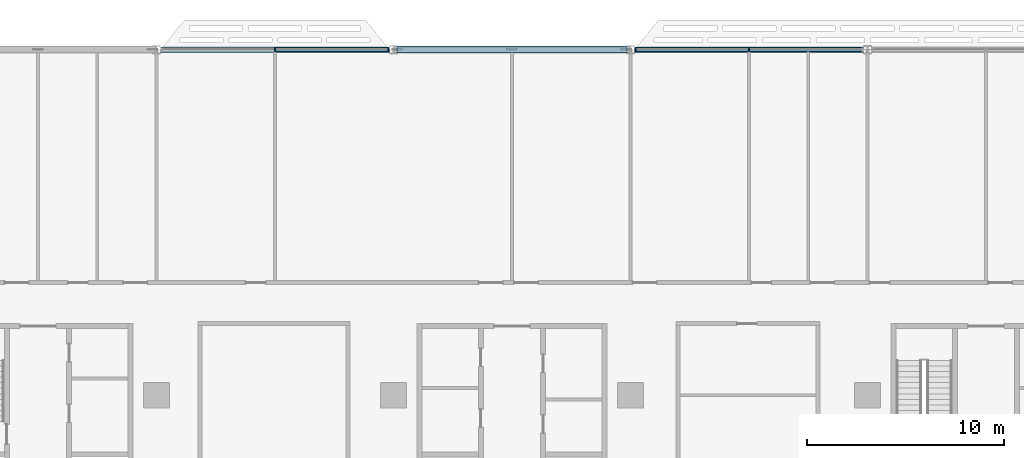
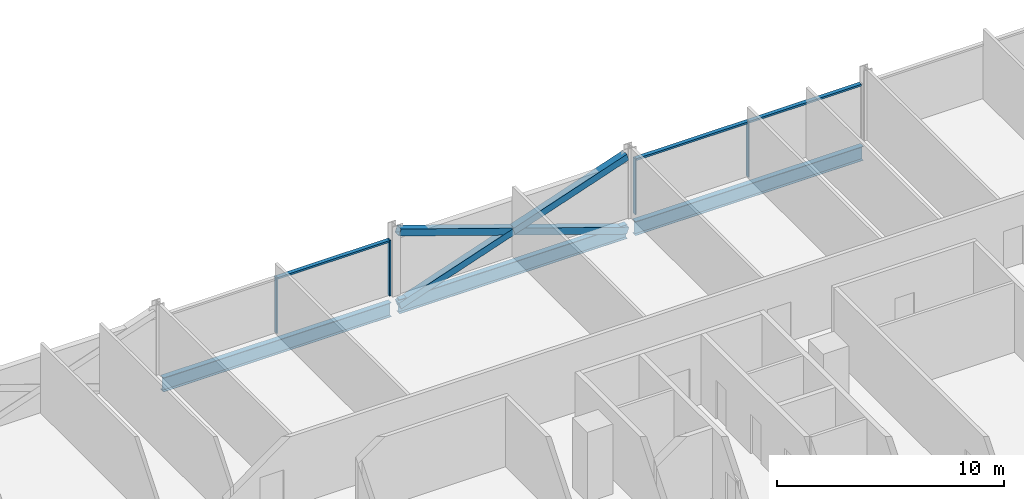
# One storey, part 7 of 28: 10 members, 3 beams, 2 elements without a shape of their own.
"""IFC4 building model written with IfcOpenShell, lengths in metres."""

from ifc_helpers import new_model, si_unit, direction, frame, origin, origin_2d, place, context, subcontext, project, spatial, rectangle, hollow_rectangle, i_section, extrude, material, material_profile, profile_set, type_object, element, aggregate, save


model = new_model("IFC4")

# Units and contexts
model_context = context("Model", 3, precision=1e-05, world=origin(), true_north=direction((0.0, 1.0)))
body_context = subcontext(model_context, "Body", "Model", "MODEL_VIEW")
ifc_project = project(units=[si_unit("LENGTHUNIT", "METRE"), si_unit("AREAUNIT", "SQUARE_METRE"), si_unit("VOLUMEUNIT", "CUBIC_METRE"), si_unit("PLANEANGLEUNIT", "RADIAN"), si_unit("MASSUNIT", "GRAM", prefix="KILO")], contexts=[model_context])

# Site, building, storey
site_placement = place(None, origin())
site = spatial("IfcSite", under=ifc_project, at=site_placement, CompositionType="ELEMENT")
building_placement = place(site_placement, origin())
building = spatial("IfcBuilding", under=site, at=building_placement, Name="Mahtab Terrace Research Tower", CompositionType="ELEMENT")
storey_placement = place(building_placement, frame((0.0, 0.0, 134.300048828125)))
storey = spatial("IfcBuildingStorey", under=building, at=storey_placement, Name="L31", CompositionType="ELEMENT", Elevation=134.300048828125)

# Members
ifc_material_1 = material(Name="Steel ASTM A500 Gr C", Category="steel")
ifc_material_profile_1 = material_profile(ifc_material_1, hollow_rectangle(XDim=0.355712890625, YDim=0.355712890625, WallThickness=0.01904296875, at=origin_2d()), Name="HSS14X14X3/4")
ifc_profile_set_1 = profile_set([ifc_material_profile_1], Name="Steel ASTM A500 Gr C")
member_type_1 = type_object("IfcMemberType", Name="HSS 14x14x3/4 brace XB141434", PredefinedType="BRACE", material=ifc_profile_set_1)
member_1_placement = place(storey_placement, frame((5.794189453125, 29.0, -0.648193359375), z_axis=(-0.946288278, 0.0, 0.323324132908), x_axis=(0.0, -1.0, 0.0)))
element("IfcMember", 1, at=member_1_placement, inside=storey, type_object=member_type_1, Name="Exoskeleton brace L31 04 a", PredefinedType="BRACE", context=body_context, shape_type="SweptSolid", body=[
    extrude(hollow_rectangle(XDim=0.355712890625, YDim=0.355712890625, WallThickness=0.01904296875, at=origin_2d()), origin(), (0.0, 0.0, 1.0), 12.24609375),
])
for number, where, z_axis, x_axis, name in (
    (2, (-5.794189453125, 29.0, -0.648193359375), (0.946288278, 0.0, 0.323324132908), (0.0, 1.0, 0.0), "Exoskeleton brace L31 04 b1"),
    (3, (0.0, 29.0, 1.33154296875), (0.946288278, 0.0, 0.323324132908), (0.0, 1.0, 0.0), "Exoskeleton brace L31 04 b2"),
):
    element("IfcMember", number, at=place(storey_placement, frame(where, z_axis=z_axis, x_axis=x_axis)), inside=storey, type_object=member_type_1, Name=name, PredefinedType="BRACE", context=body_context, shape_type="SweptSolid", body=[
        extrude(hollow_rectangle(XDim=0.355712890625, YDim=0.355712890625, WallThickness=0.01904296875, at=origin_2d()), origin(), (0.0, 0.0, 1.0), 6.123046875),
    ])

# Curtain wall, members
ifc_material_2 = material(Name="Laboratory ribbon curtain wall")
curtain_wall_type = type_object("IfcCurtainWallType", Name="Laboratory ribbon curtain wall", PredefinedType="NOTDEFINED", material=ifc_material_2)
curtain_wall_1_placement = place(storey_placement, origin())
curtain_wall_1 = element("IfcCurtainWall", 4, at=curtain_wall_1_placement, inside=storey, type_object=curtain_wall_type, Name="EN.L31.3.5", PredefinedType="NOTDEFINED")
ifc_material_3 = material(Name="Natural anodised aluminium", Category="aluminium")
ifc_material_profile_2 = material_profile(ifc_material_3, rectangle(XDim=0.199951171875, YDim=0.06494140625, at=origin_2d()), Name="MULLION 65x200")
ifc_profile_set_2 = profile_set([ifc_material_profile_2], Name="Natural anodised aluminium")
member_type_2 = type_object("IfcMemberType", Name="Laboratory ribbon curtain wall mullion", PredefinedType="MULLION", material=ifc_profile_set_2)
member_2_placement = place(storey_placement, frame((12.0, 29.0, 0.0), z_axis=(0.0, 0.0, 1.0), x_axis=(0.0, -1.0, 0.0)))
member_2 = element("IfcMember", 5, at=member_2_placement, type_object=member_type_2, Name="CWL-4 mullion 2", PredefinedType="MULLION", context=body_context, shape_type="SweptSolid", body=[
    extrude(rectangle(XDim=0.199951171875, YDim=0.06494140625, at=origin_2d()), origin(), (0.0, 0.0, 1.0), 3.0029296875),
])
member_3_placement = place(storey_placement, frame((6.25048828125, 29.0, 0.0), z_axis=(0.0, 0.0, 1.0), x_axis=(0.0, -1.0, 0.0)))
member_3 = element("IfcMember", 6, at=member_3_placement, type_object=member_type_2, Name="CWL-4 mullion 3", PredefinedType="MULLION", context=body_context, shape_type="SweptSolid", body=[
    extrude(rectangle(XDim=0.199951171875, YDim=0.06494140625, at=origin_2d()), origin(), (0.0, 0.0, 1.0), 3.0029296875),
])

curtain_wall_2_placement = place(storey_placement, origin())
curtain_wall_2 = element("IfcCurtainWall", 7, at=curtain_wall_2_placement, inside=storey, type_object=curtain_wall_type, Name="EN.L31.3.7", PredefinedType="NOTDEFINED")
member_4_placement = place(storey_placement, frame((-6.25048828125, 29.0, 0.0), z_axis=(0.0, 0.0, 1.0), x_axis=(0.0, -1.0, 0.0)))
member_4 = element("IfcMember", 8, at=member_4_placement, type_object=member_type_2, Name="CWL-4 mullion 1", PredefinedType="MULLION", context=body_context, shape_type="SweptSolid", body=[
    extrude(rectangle(XDim=0.199951171875, YDim=0.06494140625, at=origin_2d()), origin(), (0.0, 0.0, 1.0), 3.0029296875),
])
member_5_placement = place(storey_placement, frame((-12.0, 29.0, 0.0), z_axis=(0.0, 0.0, 1.0), x_axis=(0.0, -1.0, 0.0)))
member_5 = element("IfcMember", 9, at=member_5_placement, type_object=member_type_2, Name="CWL-4 mullion 2", PredefinedType="MULLION", context=body_context, shape_type="SweptSolid", body=[
    extrude(rectangle(XDim=0.199951171875, YDim=0.06494140625, at=origin_2d()), origin(), (0.0, 0.0, 1.0), 3.0029296875),
])

# Member
ifc_material_profile_3 = material_profile(ifc_material_3, rectangle(XDim=0.199951171875, YDim=0.10009765625, at=origin_2d()), Name="TRANSOM 100x200")
ifc_profile_set_3 = profile_set([ifc_material_profile_3], Name="Natural anodised aluminium")
member_type_3 = type_object("IfcMemberType", Name="Laboratory ribbon curtain wall transom", PredefinedType="USERDEFINED", material=ifc_profile_set_3)
member_6_placement = place(storey_placement, frame((17.717041015625, 29.0, 2.953125), z_axis=(-1.0, 0.0, 0.0), x_axis=(0.0, -1.0, 0.0)))
member_6 = element("IfcMember", 10, at=member_6_placement, type_object=member_type_3, Name="CWL-4 transom 1", ObjectType="TRANSOM", PredefinedType="USERDEFINED", context=body_context, shape_type="SweptSolid", body=[
    extrude(rectangle(XDim=0.199951171875, YDim=0.10009765625, at=origin_2d()), origin(), (0.0, 0.0, 1.0), 5.6845703125),
])

member_7_placement = place(storey_placement, frame((11.967529296875, 29.0, 2.953125), z_axis=(-1.0, 0.0, 0.0), x_axis=(0.0, -1.0, 0.0)))
member_7 = element("IfcMember", 11, at=member_7_placement, type_object=member_type_3, Name="CWL-4 transom 2", ObjectType="TRANSOM", PredefinedType="USERDEFINED", context=body_context, shape_type="SweptSolid", body=[
    extrude(rectangle(XDim=0.199951171875, YDim=0.10009765625, at=origin_2d()), origin(), (0.0, 0.0, 1.0), 5.6845703125),
])

aggregate(curtain_wall_1, [member_2, member_3, member_6, member_7])

member_8_placement = place(storey_placement, frame((-6.282958984375, 29.0, 2.953125), z_axis=(-1.0, 0.0, 0.0), x_axis=(0.0, -1.0, 0.0)))
member_8 = element("IfcMember", 12, at=member_8_placement, type_object=member_type_3, Name="CWL-4 transom 1", ObjectType="TRANSOM", PredefinedType="USERDEFINED", context=body_context, shape_type="SweptSolid", body=[
    extrude(rectangle(XDim=0.199951171875, YDim=0.10009765625, at=origin_2d()), origin(), (0.0, 0.0, 1.0), 5.6845703125),
])

aggregate(curtain_wall_2, [member_4, member_5, member_8])

# Beams
ifc_material_4 = material(Name="Steel ASTM A992 Gr 50", Category="steel")
ifc_material_profile_4 = material_profile(ifc_material_4, i_section(OverallWidth=0.2666015625, OverallDepth=0.7568359375, WebThickness=0.013916015625, FlangeThickness=0.019287109375, at=origin_2d()), Name="W30X108")
ifc_profile_set_4 = profile_set([ifc_material_profile_4], Name="Steel ASTM A992 Gr 50")
beam_type = type_object("IfcBeamType", Name="W30x108 beam BS30108", PredefinedType="BEAM", material=ifc_profile_set_4)
for number, where, z_axis, x_axis, name in (
    (13, (17.794189453125, 29.0, -0.718505859375), (-1.0, 0.0, 0.0), (0.0, -1.0, 0.0), "Spandrel beam L31 03"),
    (14, (5.794189453125, 29.0, -0.718505859375), (-1.0, 0.0, 0.0), (0.0, -1.0, 0.0), "Spandrel beam L31 04"),
    (15, (-6.205810546875, 29.0, -0.718505859375), (-1.0, 0.0, 0.0), (0.0, -1.0, 0.0), "Spandrel beam L31 05"),
):
    element("IfcBeam", number, at=place(storey_placement, frame(where, z_axis=z_axis, x_axis=x_axis)), inside=storey, type_object=beam_type, Name=name, PredefinedType="BEAM", context=body_context, shape_type="SweptSolid", body=[
        extrude(i_section(OverallWidth=0.2666015625, OverallDepth=0.7568359375, WebThickness=0.013916015625, FlangeThickness=0.019287109375, at=origin_2d()), origin(), (0.0, 0.0, 1.0), 11.58837890625),
    ])

save(model, "model.ifc")
